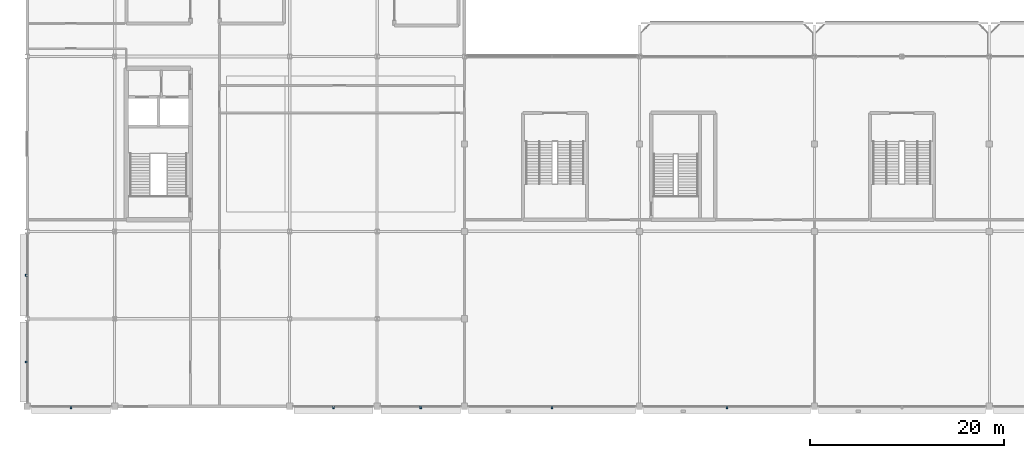
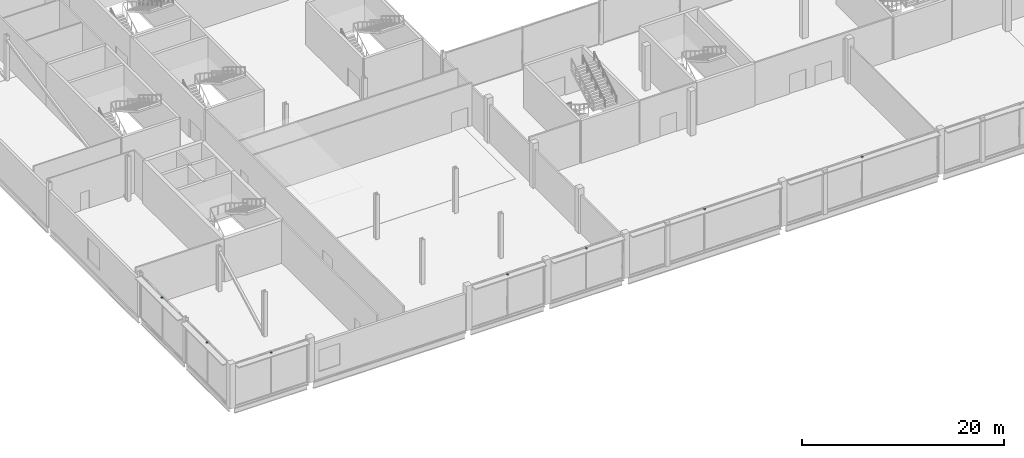
# One storey, part 74 of 113: 7 discrete accessories.
"""IFC4 building model written with IfcOpenShell, lengths in metres."""

from ifc_helpers import new_model, si_unit, direction, frame, origin, origin_2d, place, context, subcontext, project, spatial, rectangle, extrude, material, type_object, element, save


model = new_model("IFC4")

# Units and contexts
model_context = context("Model", 3, precision=1e-05, world=origin(), true_north=direction((0.0, 1.0)))
body_context = subcontext(model_context, "Body", "Model", "MODEL_VIEW")
ifc_project = project(units=[si_unit("LENGTHUNIT", "METRE"), si_unit("AREAUNIT", "SQUARE_METRE"), si_unit("VOLUMEUNIT", "CUBIC_METRE"), si_unit("PLANEANGLEUNIT", "RADIAN"), si_unit("MASSUNIT", "GRAM", prefix="KILO")], contexts=[model_context])

# Site, building, storey
site_placement = place(None, origin())
site = spatial("IfcSite", under=ifc_project, at=site_placement, CompositionType="ELEMENT")
building_placement = place(site_placement, origin())
building = spatial("IfcBuilding", under=site, at=building_placement, Name="Kisiwana Market Hall", CompositionType="ELEMENT")
storey_placement = place(building_placement, frame((0.0, 0.0, 6.0)))
storey = spatial("IfcBuildingStorey", under=building, at=storey_placement, Name="L01", CompositionType="ELEMENT", Elevation=6.0)

# Discrete accessories
ifc_material = material(Name="Steel S355", Category="steel")
discrete_accessory_type = type_object("IfcDiscreteAccessoryType", Name="ACC-BRACKET-STL", PredefinedType="BRACKET", material=ifc_material)
for number, where, z_axis, x_axis, name in (
    (1, (4.5, -0.110107421875, 4.93994140625), (0.0, 0.0, 1.0), (1.0, 0.0, 0.0), "Sunshade steel bracket BRK-005"),
    (2, (31.5, -0.110107421875, 4.93994140625), (0.0, 0.0, 1.0), (1.0, 0.0, 0.0), "Sunshade steel bracket BRK-006"),
    (3, (40.5, -0.110107421875, 4.93994140625), (0.0, 0.0, 1.0), (1.0, 0.0, 0.0), "Sunshade steel bracket BRK-007"),
    (4, (54.0, -0.110107421875, 4.93994140625), (0.0, 0.0, 1.0), (1.0, 0.0, 0.0), "Sunshade steel bracket BRK-008"),
    (5, (72.0, -0.110107421875, 4.93994140625), (0.0, 0.0, 1.0), (1.0, 0.0, 0.0), "Sunshade steel bracket BRK-009"),
    (6, (-0.110107421875, 4.560791015625, 4.93994140625), (0.0, 0.0, 1.0), (0.0, 1.0, 0.0), "Sunshade steel bracket BRK-025"),
    (7, (-0.110107421875, 13.492919921875, 4.93994140625), (0.0, 0.0, 1.0), (0.0, 1.0, 0.0), "Sunshade steel bracket BRK-026"),
):
    element("IfcDiscreteAccessory", number, at=place(storey_placement, frame(where, z_axis=z_axis, x_axis=x_axis)), inside=storey, type_object=discrete_accessory_type, Name=name, PredefinedType="BRACKET", context=body_context, shape_type="SweptSolid", body=[
        extrude(rectangle(XDim=0.179931640625, YDim=0.239990234375, at=origin_2d()), origin(), (0.0, 0.0, 1.0), 0.179931640625),
    ])

save(model, "model.ifc")
